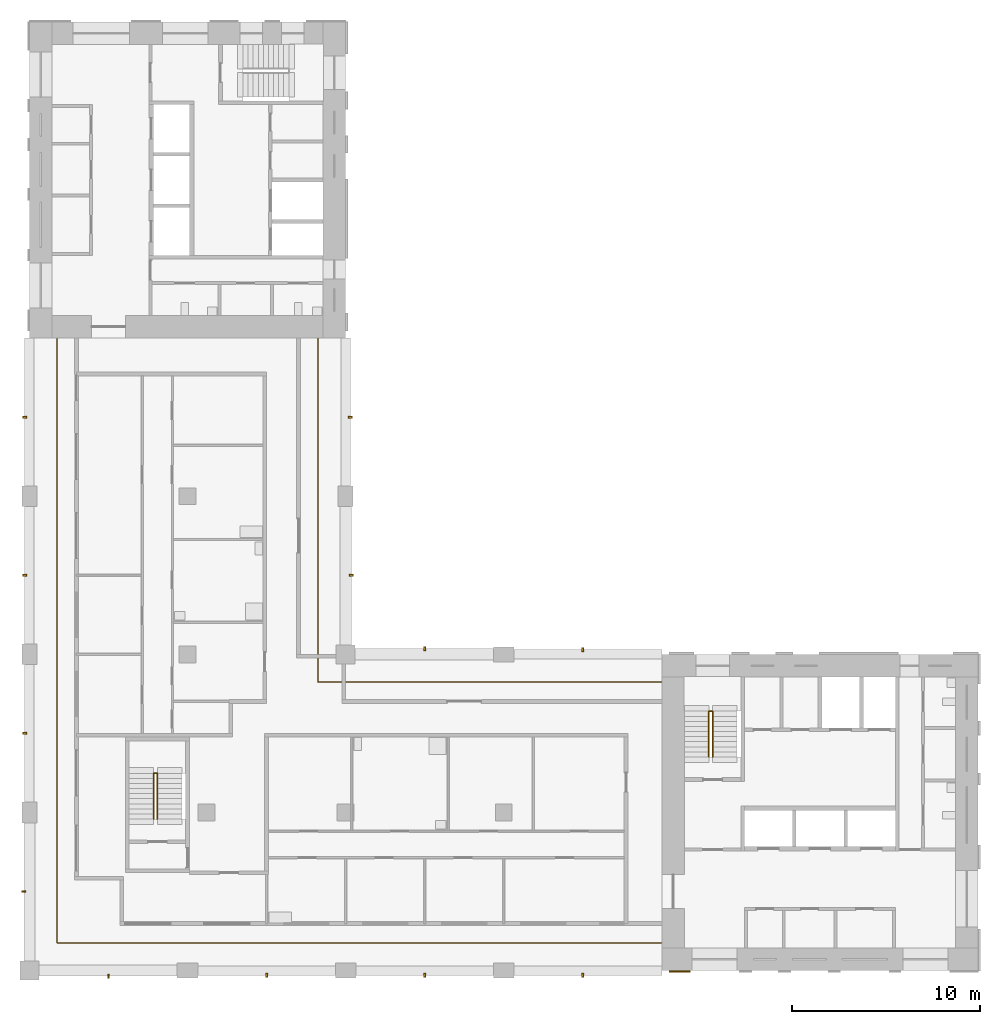
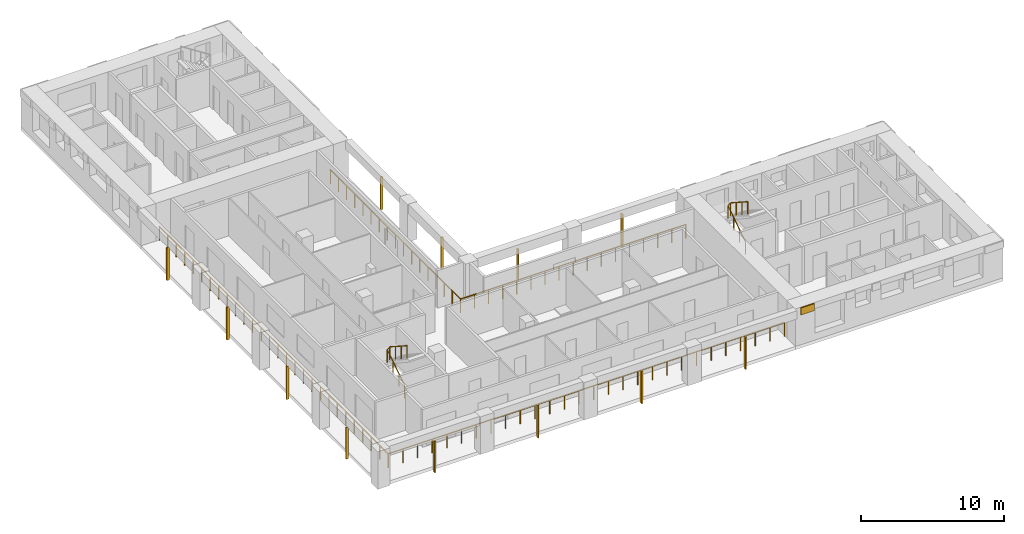
# One storey, part 7 of 9: 13 shading devices, 4 railings.
"""IFC4 building model written with IfcOpenShell, lengths in metres."""

from ifc_helpers import new_model, si_unit, direction, frame, origin, origin_2d, place, context, subcontext, project, spatial, rectangle, circle, extrude, material, layer, layer_set, material_profile, profile_set, type_object, element, save


model = new_model("IFC4")

# Units and contexts
model_context = context("Model", 3, precision=1e-05, world=origin(), true_north=direction((0.0, 1.0)))
body_context = subcontext(model_context, "Body", "Model", "MODEL_VIEW")
ifc_project = project(units=[si_unit("LENGTHUNIT", "METRE"), si_unit("AREAUNIT", "SQUARE_METRE"), si_unit("VOLUMEUNIT", "CUBIC_METRE"), si_unit("PLANEANGLEUNIT", "RADIAN"), si_unit("MASSUNIT", "GRAM", prefix="KILO")], contexts=[model_context])

# Site, building, storey
site_placement = place(None, origin())
site = spatial("IfcSite", under=ifc_project, at=site_placement, CompositionType="ELEMENT")
building_placement = place(site_placement, origin())
building = spatial("IfcBuilding", under=site, at=building_placement, Name="Vermilion Gate Residences", CompositionType="ELEMENT")
storey_placement = place(building_placement, frame((0.0, 0.0, 224.699951171875)))
storey = spatial("IfcBuildingStorey", under=building, at=storey_placement, Name="L58", CompositionType="ELEMENT", Elevation=224.699951171875)

# Railings
ifc_material_1 = material(Name="Stainless steel and toughened glass", Category="steel")
railing_type_1 = type_object("IfcRailingType", Name="LOGGIA GUARD STEEL AND GLASS 1200", PredefinedType="GUARDRAIL", material=ifc_material_1)
railing_1_placement = place(storey_placement, frame((41.97802734375, 23.72509765625, 0.0)))
element("IfcRailing", 1, at=railing_1_placement, inside=storey, type_object=railing_type_1, Name="Loggia guard", PredefinedType="GUARDRAIL", context=body_context, shape_type="SweptSolid", body=[
    extrude(circle(Radius=0.030029296875, at=origin_2d()), frame((0.0, 0.0, 1.169921875), z_axis=(-1.0, 0.0, 0.0), x_axis=(0.0, -1.0, 0.0)), (0.0, 0.0, 1.0), 18.2529296875),
    extrude(circle(Radius=0.030029296875, at=origin_2d()), frame((-18.2529296875, 0.0, 1.169921875), z_axis=(0.0, 1.0, 0.0), x_axis=(-1.0, 0.0, 0.0)), (0.0, 0.0, 1.0), 18.2529296875),
    extrude(circle(Radius=0.02490234375, at=origin_2d()), origin(), (0.0, 0.0, 1.0), 1.139892578125),
    extrude(circle(Radius=0.02490234375, at=origin_2d()), frame((-1.140869140625, 0.0, 0.0)), (0.0, 0.0, 1.0), 1.139892578125),
    extrude(circle(Radius=0.02490234375, at=origin_2d()), frame((-2.28173828125, 0.0, 0.0)), (0.0, 0.0, 1.0), 1.139892578125),
    extrude(circle(Radius=0.02490234375, at=origin_2d()), frame((-3.42236328125, 0.0, 0.0)), (0.0, 0.0, 1.0), 1.139892578125),
    extrude(circle(Radius=0.02490234375, at=origin_2d()), frame((-4.563232421875, 0.0, 0.0)), (0.0, 0.0, 1.0), 1.139892578125),
    extrude(circle(Radius=0.02490234375, at=origin_2d()), frame((-5.7041015625, 0.0, 0.0)), (0.0, 0.0, 1.0), 1.139892578125),
    extrude(circle(Radius=0.02490234375, at=origin_2d()), frame((-6.8447265625, 0.0, 0.0)), (0.0, 0.0, 1.0), 1.139892578125),
    extrude(circle(Radius=0.02490234375, at=origin_2d()), frame((-7.985595703125, 0.0, 0.0)), (0.0, 0.0, 1.0), 1.139892578125),
    extrude(circle(Radius=0.02490234375, at=origin_2d()), frame((-9.12646484375, 0.0, 0.0)), (0.0, 0.0, 1.0), 1.139892578125),
    extrude(circle(Radius=0.02490234375, at=origin_2d()), frame((-10.267333984375, 0.0, 0.0)), (0.0, 0.0, 1.0), 1.139892578125),
    extrude(circle(Radius=0.02490234375, at=origin_2d()), frame((-11.408203125, 0.0, 0.0)), (0.0, 0.0, 1.0), 1.139892578125),
    extrude(circle(Radius=0.02490234375, at=origin_2d()), frame((-12.548828125, 0.0, 0.0)), (0.0, 0.0, 1.0), 1.139892578125),
    extrude(circle(Radius=0.02490234375, at=origin_2d()), frame((-13.689697265625, 0.0, 0.0)), (0.0, 0.0, 1.0), 1.139892578125),
    extrude(circle(Radius=0.02490234375, at=origin_2d()), frame((-14.83056640625, 0.0, 0.0)), (0.0, 0.0, 1.0), 1.139892578125),
    extrude(circle(Radius=0.02490234375, at=origin_2d()), frame((-15.97119140625, 0.0, 0.0)), (0.0, 0.0, 1.0), 1.139892578125),
    extrude(circle(Radius=0.02490234375, at=origin_2d()), frame((-17.112060546875, 0.0, 0.0)), (0.0, 0.0, 1.0), 1.139892578125),
    extrude(circle(Radius=0.02490234375, at=origin_2d()), frame((-18.2529296875, 0.0, 0.0)), (0.0, 0.0, 1.0), 1.139892578125),
    extrude(circle(Radius=0.02490234375, at=origin_2d()), frame((-18.2529296875, 1.140869140625, 0.0)), (0.0, 0.0, 1.0), 1.139892578125),
    extrude(circle(Radius=0.02490234375, at=origin_2d()), frame((-18.2529296875, 2.28173828125, 0.0)), (0.0, 0.0, 1.0), 1.139892578125),
    extrude(circle(Radius=0.02490234375, at=origin_2d()), frame((-18.2529296875, 3.42236328125, 0.0)), (0.0, 0.0, 1.0), 1.139892578125),
    extrude(circle(Radius=0.02490234375, at=origin_2d()), frame((-18.2529296875, 4.563232421875, 0.0)), (0.0, 0.0, 1.0), 1.139892578125),
    extrude(circle(Radius=0.02490234375, at=origin_2d()), frame((-18.2529296875, 5.7041015625, 0.0)), (0.0, 0.0, 1.0), 1.139892578125),
    extrude(circle(Radius=0.02490234375, at=origin_2d()), frame((-18.2529296875, 6.8447265625, 0.0)), (0.0, 0.0, 1.0), 1.139892578125),
    extrude(circle(Radius=0.02490234375, at=origin_2d()), frame((-18.2529296875, 7.985595703125, 0.0)), (0.0, 0.0, 1.0), 1.139892578125),
    extrude(circle(Radius=0.02490234375, at=origin_2d()), frame((-18.2529296875, 9.12646484375, 0.0)), (0.0, 0.0, 1.0), 1.139892578125),
    extrude(circle(Radius=0.02490234375, at=origin_2d()), frame((-18.2529296875, 10.267333984375, 0.0)), (0.0, 0.0, 1.0), 1.139892578125),
    extrude(circle(Radius=0.02490234375, at=origin_2d()), frame((-18.2529296875, 11.408203125, 0.0)), (0.0, 0.0, 1.0), 1.139892578125),
    extrude(circle(Radius=0.02490234375, at=origin_2d()), frame((-18.2529296875, 12.548828125, 0.0)), (0.0, 0.0, 1.0), 1.139892578125),
    extrude(circle(Radius=0.02490234375, at=origin_2d()), frame((-18.2529296875, 13.689697265625, 0.0)), (0.0, 0.0, 1.0), 1.139892578125),
    extrude(circle(Radius=0.02490234375, at=origin_2d()), frame((-18.2529296875, 14.83056640625, 0.0)), (0.0, 0.0, 1.0), 1.139892578125),
    extrude(circle(Radius=0.02490234375, at=origin_2d()), frame((-18.2529296875, 15.97119140625, 0.0)), (0.0, 0.0, 1.0), 1.139892578125),
    extrude(circle(Radius=0.02490234375, at=origin_2d()), frame((-18.2529296875, 17.112060546875, 0.0)), (0.0, 0.0, 1.0), 1.139892578125),
    extrude(circle(Radius=0.02490234375, at=origin_2d()), frame((-18.2529296875, 18.2529296875, 0.0)), (0.0, 0.0, 1.0), 1.139892578125),
])
railing_2_placement = place(storey_placement, frame((9.875, 41.97802734375, 0.0)))
element("IfcRailing", 2, at=railing_2_placement, inside=storey, type_object=railing_type_1, Name="Loggia guard", PredefinedType="GUARDRAIL", context=body_context, shape_type="SweptSolid", body=[
    extrude(circle(Radius=0.030029296875, at=origin_2d()), frame((0.0, 0.0, 1.169921875), z_axis=(0.0, -1.0, 0.0), x_axis=(1.0, 0.0, 0.0)), (0.0, 0.0, 1.0), 32.10302734375),
    extrude(circle(Radius=0.030029296875, at=origin_2d()), frame((0.0, -32.10302734375, 1.169921875), z_axis=(1.0, 0.0, 0.0), x_axis=(0.0, 1.0, 0.0)), (0.0, 0.0, 1.0), 32.10302734375),
    extrude(circle(Radius=0.02490234375, at=origin_2d()), origin(), (0.0, 0.0, 1.0), 1.139892578125),
    extrude(circle(Radius=0.02490234375, at=origin_2d()), frame((0.0, -1.18896484375, 0.0)), (0.0, 0.0, 1.0), 1.139892578125),
    extrude(circle(Radius=0.02490234375, at=origin_2d()), frame((0.0, -2.3779296875, 0.0)), (0.0, 0.0, 1.0), 1.139892578125),
    extrude(circle(Radius=0.02490234375, at=origin_2d()), frame((0.0, -3.56689453125, 0.0)), (0.0, 0.0, 1.0), 1.139892578125),
    extrude(circle(Radius=0.02490234375, at=origin_2d()), frame((0.0, -4.756103515625, 0.0)), (0.0, 0.0, 1.0), 1.139892578125),
    extrude(circle(Radius=0.02490234375, at=origin_2d()), frame((0.0, -5.945068359375, 0.0)), (0.0, 0.0, 1.0), 1.139892578125),
    extrude(circle(Radius=0.02490234375, at=origin_2d()), frame((0.0, -7.134033203125, 0.0)), (0.0, 0.0, 1.0), 1.139892578125),
    extrude(circle(Radius=0.02490234375, at=origin_2d()), frame((0.0, -8.322998046875, 0.0)), (0.0, 0.0, 1.0), 1.139892578125),
    extrude(circle(Radius=0.02490234375, at=origin_2d()), frame((0.0, -9.511962890625, 0.0)), (0.0, 0.0, 1.0), 1.139892578125),
    extrude(circle(Radius=0.02490234375, at=origin_2d()), frame((0.0, -10.700927734375, 0.0)), (0.0, 0.0, 1.0), 1.139892578125),
    extrude(circle(Radius=0.02490234375, at=origin_2d()), frame((0.0, -11.889892578125, 0.0)), (0.0, 0.0, 1.0), 1.139892578125),
    extrude(circle(Radius=0.02490234375, at=origin_2d()), frame((0.0, -13.0791015625, 0.0)), (0.0, 0.0, 1.0), 1.139892578125),
    extrude(circle(Radius=0.02490234375, at=origin_2d()), frame((0.0, -14.26806640625, 0.0)), (0.0, 0.0, 1.0), 1.139892578125),
    extrude(circle(Radius=0.02490234375, at=origin_2d()), frame((0.0, -15.45703125, 0.0)), (0.0, 0.0, 1.0), 1.139892578125),
    extrude(circle(Radius=0.02490234375, at=origin_2d()), frame((0.0, -16.64599609375, 0.0)), (0.0, 0.0, 1.0), 1.139892578125),
    extrude(circle(Radius=0.02490234375, at=origin_2d()), frame((0.0, -17.8349609375, 0.0)), (0.0, 0.0, 1.0), 1.139892578125),
    extrude(circle(Radius=0.02490234375, at=origin_2d()), frame((0.0, -19.02392578125, 0.0)), (0.0, 0.0, 1.0), 1.139892578125),
    extrude(circle(Radius=0.02490234375, at=origin_2d()), frame((0.0, -20.213134765625, 0.0)), (0.0, 0.0, 1.0), 1.139892578125),
    extrude(circle(Radius=0.02490234375, at=origin_2d()), frame((0.0, -21.402099609375, 0.0)), (0.0, 0.0, 1.0), 1.139892578125),
    extrude(circle(Radius=0.02490234375, at=origin_2d()), frame((0.0, -22.591064453125, 0.0)), (0.0, 0.0, 1.0), 1.139892578125),
    extrude(circle(Radius=0.02490234375, at=origin_2d()), frame((0.0, -23.780029296875, 0.0)), (0.0, 0.0, 1.0), 1.139892578125),
    extrude(circle(Radius=0.02490234375, at=origin_2d()), frame((0.0, -24.968994140625, 0.0)), (0.0, 0.0, 1.0), 1.139892578125),
    extrude(circle(Radius=0.02490234375, at=origin_2d()), frame((0.0, -26.157958984375, 0.0)), (0.0, 0.0, 1.0), 1.139892578125),
    extrude(circle(Radius=0.02490234375, at=origin_2d()), frame((0.0, -27.346923828125, 0.0)), (0.0, 0.0, 1.0), 1.139892578125),
    extrude(circle(Radius=0.02490234375, at=origin_2d()), frame((0.0, -28.5361328125, 0.0)), (0.0, 0.0, 1.0), 1.139892578125),
    extrude(circle(Radius=0.02490234375, at=origin_2d()), frame((0.0, -29.72509765625, 0.0)), (0.0, 0.0, 1.0), 1.139892578125),
    extrude(circle(Radius=0.02490234375, at=origin_2d()), frame((0.0, -30.9140625, 0.0)), (0.0, 0.0, 1.0), 1.139892578125),
    extrude(circle(Radius=0.02490234375, at=origin_2d()), frame((0.0, -32.10302734375, 0.0)), (0.0, 0.0, 1.0), 1.139892578125),
    extrude(circle(Radius=0.02490234375, at=origin_2d()), frame((1.18896484375, -32.10302734375, 0.0)), (0.0, 0.0, 1.0), 1.139892578125),
    extrude(circle(Radius=0.02490234375, at=origin_2d()), frame((2.3779296875, -32.10302734375, 0.0)), (0.0, 0.0, 1.0), 1.139892578125),
    extrude(circle(Radius=0.02490234375, at=origin_2d()), frame((3.56689453125, -32.10302734375, 0.0)), (0.0, 0.0, 1.0), 1.139892578125),
    extrude(circle(Radius=0.02490234375, at=origin_2d()), frame((4.756103515625, -32.10302734375, 0.0)), (0.0, 0.0, 1.0), 1.139892578125),
    extrude(circle(Radius=0.02490234375, at=origin_2d()), frame((5.945068359375, -32.10302734375, 0.0)), (0.0, 0.0, 1.0), 1.139892578125),
    extrude(circle(Radius=0.02490234375, at=origin_2d()), frame((7.134033203125, -32.10302734375, 0.0)), (0.0, 0.0, 1.0), 1.139892578125),
    extrude(circle(Radius=0.02490234375, at=origin_2d()), frame((8.322998046875, -32.10302734375, 0.0)), (0.0, 0.0, 1.0), 1.139892578125),
    extrude(circle(Radius=0.02490234375, at=origin_2d()), frame((9.511962890625, -32.10302734375, 0.0)), (0.0, 0.0, 1.0), 1.139892578125),
    extrude(circle(Radius=0.02490234375, at=origin_2d()), frame((10.700927734375, -32.10302734375, 0.0)), (0.0, 0.0, 1.0), 1.139892578125),
    extrude(circle(Radius=0.02490234375, at=origin_2d()), frame((11.889892578125, -32.10302734375, 0.0)), (0.0, 0.0, 1.0), 1.139892578125),
    extrude(circle(Radius=0.02490234375, at=origin_2d()), frame((13.0791015625, -32.10302734375, 0.0)), (0.0, 0.0, 1.0), 1.139892578125),
    extrude(circle(Radius=0.02490234375, at=origin_2d()), frame((14.26806640625, -32.10302734375, 0.0)), (0.0, 0.0, 1.0), 1.139892578125),
    extrude(circle(Radius=0.02490234375, at=origin_2d()), frame((15.45703125, -32.10302734375, 0.0)), (0.0, 0.0, 1.0), 1.139892578125),
    extrude(circle(Radius=0.02490234375, at=origin_2d()), frame((16.64599609375, -32.10302734375, 0.0)), (0.0, 0.0, 1.0), 1.139892578125),
    extrude(circle(Radius=0.02490234375, at=origin_2d()), frame((17.8349609375, -32.10302734375, 0.0)), (0.0, 0.0, 1.0), 1.139892578125),
    extrude(circle(Radius=0.02490234375, at=origin_2d()), frame((19.02392578125, -32.10302734375, 0.0)), (0.0, 0.0, 1.0), 1.139892578125),
    extrude(circle(Radius=0.02490234375, at=origin_2d()), frame((20.213134765625, -32.10302734375, 0.0)), (0.0, 0.0, 1.0), 1.139892578125),
    extrude(circle(Radius=0.02490234375, at=origin_2d()), frame((21.402099609375, -32.10302734375, 0.0)), (0.0, 0.0, 1.0), 1.139892578125),
    extrude(circle(Radius=0.02490234375, at=origin_2d()), frame((22.591064453125, -32.10302734375, 0.0)), (0.0, 0.0, 1.0), 1.139892578125),
    extrude(circle(Radius=0.02490234375, at=origin_2d()), frame((23.780029296875, -32.10302734375, 0.0)), (0.0, 0.0, 1.0), 1.139892578125),
    extrude(circle(Radius=0.02490234375, at=origin_2d()), frame((24.968994140625, -32.10302734375, 0.0)), (0.0, 0.0, 1.0), 1.139892578125),
    extrude(circle(Radius=0.02490234375, at=origin_2d()), frame((26.157958984375, -32.10302734375, 0.0)), (0.0, 0.0, 1.0), 1.139892578125),
    extrude(circle(Radius=0.02490234375, at=origin_2d()), frame((27.346923828125, -32.10302734375, 0.0)), (0.0, 0.0, 1.0), 1.139892578125),
    extrude(circle(Radius=0.02490234375, at=origin_2d()), frame((28.5361328125, -32.10302734375, 0.0)), (0.0, 0.0, 1.0), 1.139892578125),
    extrude(circle(Radius=0.02490234375, at=origin_2d()), frame((29.72509765625, -32.10302734375, 0.0)), (0.0, 0.0, 1.0), 1.139892578125),
    extrude(circle(Radius=0.02490234375, at=origin_2d()), frame((30.9140625, -32.10302734375, 0.0)), (0.0, 0.0, 1.0), 1.139892578125),
    extrude(circle(Radius=0.02490234375, at=origin_2d()), frame((32.10302734375, -32.10302734375, 0.0)), (0.0, 0.0, 1.0), 1.139892578125),
])
ifc_material_2 = material(Name="Steel S355", Category="steel")
railing_type_2 = type_object("IfcRailingType", Name="STAIR GUARD 1100 STEEL", PredefinedType="GUARDRAIL", material=ifc_material_2)
for number, where, name in (
    (3, (44.5, 19.75, 0.175048828125), "Stair well guard STA1-58"),
    (4, (15.0, 16.449951171875, 0.175048828125), "Stair well guard STC1-58"),
):
    element("IfcRailing", number, at=place(storey_placement, frame(where)), inside=storey, type_object=railing_type_2, Name=name, PredefinedType="GUARDRAIL", context=body_context, shape_type="SweptSolid", body=[
        extrude(circle(Radius=0.02392578125, at=origin_2d()), frame((0.0, 0.0, 1.076171875), z_axis=(0.0, 0.839153699163, 0.543894354798), x_axis=(-1.0, 0.0, 0.0)), (0.0, 0.0, 1.0), 2.895751953125),
        extrude(circle(Radius=0.02392578125, at=origin_2d()), frame((0.0, 2.429931640625, 2.65087890625), z_axis=(0.752405939678, 0.0, 0.658699705433), x_axis=(0.0, 1.0, 0.0)), (0.0, 0.0, 1.0), 0.265869140625),
        extrude(circle(Radius=0.02392578125, at=origin_2d()), frame((0.199951171875, 2.429931640625, 2.826171875), z_axis=(0.0, -0.839153699163, 0.543894354798), x_axis=(1.0, 0.0, 0.0)), (0.0, 0.0, 1.0), 2.895751953125),
        extrude(circle(Radius=0.02099609375, at=origin_2d()), origin(), (0.0, 0.0, 1.0), 1.052001953125),
        extrude(circle(Radius=0.02099609375, at=origin_2d()), frame((0.0, 0.81005859375, 0.52490234375)), (0.0, 0.0, 1.0), 1.052001953125),
        extrude(circle(Radius=0.02099609375, at=origin_2d()), frame((0.0, 1.619873046875, 1.050048828125)), (0.0, 0.0, 1.0), 1.052001953125),
        extrude(circle(Radius=0.02099609375, at=origin_2d()), frame((0.0, 2.429931640625, 1.574951171875)), (0.0, 0.0, 1.0), 1.052001953125),
        extrude(circle(Radius=0.02099609375, at=origin_2d()), frame((0.199951171875, 2.429931640625, 1.75)), (0.0, 0.0, 1.0), 1.052001953125),
        extrude(circle(Radius=0.02099609375, at=origin_2d()), frame((0.199951171875, 1.619873046875, 2.27490234375)), (0.0, 0.0, 1.0), 1.052001953125),
        extrude(circle(Radius=0.02099609375, at=origin_2d()), frame((0.199951171875, 0.81005859375, 2.800048828125)), (0.0, 0.0, 1.0), 1.052001953125),
        extrude(circle(Radius=0.02099609375, at=origin_2d()), frame((0.199951171875, 0.0, 3.324951171875)), (0.0, 0.0, 1.0), 1.052001953125),
    ])

# Shading devices
ifc_material_3 = material(Name="Extruded terracotta", Category="masonry")
ifc_material_profile = material_profile(ifc_material_3, rectangle(XDim=0.199951171875, YDim=0.10009765625, at=origin_2d()), Name="BAGUETTE 100 X 200")
ifc_profile_set = profile_set([ifc_material_profile], Name="Extruded terracotta")
shading_device_type_1 = type_object("IfcShadingDeviceType", Name="TERRACOTTA BAGUETTE 100 X 200", PredefinedType="JALOUSIE", material=ifc_profile_set)
shading_device_1_placement = place(storey_placement, frame((12.60009765625, 8.10009765625, -0.280029296875), z_axis=(0.0, 0.0, 1.0), x_axis=(0.0, 1.0, 0.0)))
element("IfcShadingDevice", 5, at=shading_device_1_placement, inside=storey, type_object=shading_device_type_1, Name="BAGUETTE", PredefinedType="JALOUSIE", context=body_context, shape_type="SweptSolid", body=[
    extrude(rectangle(XDim=0.199951171875, YDim=0.10009765625, at=origin_2d()), origin(), (0.0, 0.0, 1.0), 2.7001953125),
])
for number, where, z_axis, x_axis, name in (
    (6, (21.0, 8.14990234375, -0.280029296875), (0.0, 0.0, 1.0), (0.0, 1.0, 0.0), "BAGUETTE"),
    (7, (29.39990234375, 8.14990234375, -0.280029296875), (0.0, 0.0, 1.0), (0.0, 1.0, 0.0), "BAGUETTE"),
    (8, (37.800048828125, 8.14990234375, -0.280029296875), (0.0, 0.0, 1.0), (0.0, 1.0, 0.0), "BAGUETTE"),
):
    element("IfcShadingDevice", number, at=place(storey_placement, frame(where, z_axis=z_axis, x_axis=x_axis)), inside=storey, type_object=shading_device_type_1, Name=name, PredefinedType="JALOUSIE", context=body_context, shape_type="SweptSolid", body=[
        extrude(rectangle(XDim=0.199951171875, YDim=0.10009765625, at=origin_2d()), origin(), (0.0, 0.0, 1.0), 2.800048828125),
    ])
shading_device_2_placement = place(storey_placement, frame((29.39990234375, 25.5, -0.280029296875), z_axis=(0.0, 0.0, 1.0), x_axis=(0.0, -1.0, 0.0)))
element("IfcShadingDevice", 9, at=shading_device_2_placement, inside=storey, type_object=shading_device_type_1, Name="BAGUETTE", PredefinedType="JALOUSIE", context=body_context, shape_type="SweptSolid", body=[
    extrude(rectangle(XDim=0.199951171875, YDim=0.10009765625, at=origin_2d()), origin(), (0.0, 0.0, 1.0), 2.7001953125),
])
shading_device_3_placement = place(storey_placement, frame((37.800048828125, 25.449951171875, -0.280029296875), z_axis=(0.0, 0.0, 1.0), x_axis=(0.0, -1.0, 0.0)))
element("IfcShadingDevice", 10, at=shading_device_3_placement, inside=storey, type_object=shading_device_type_1, Name="BAGUETTE", PredefinedType="JALOUSIE", context=body_context, shape_type="SweptSolid", body=[
    extrude(rectangle(XDim=0.199951171875, YDim=0.10009765625, at=origin_2d()), origin(), (0.0, 0.0, 1.0), 2.800048828125),
])
shading_device_4_placement = place(storey_placement, frame((25.5, 29.39990234375, -0.280029296875), z_axis=(0.0, 0.0, 1.0), x_axis=(-1.0, 0.0, 0.0)))
element("IfcShadingDevice", 11, at=shading_device_4_placement, inside=storey, type_object=shading_device_type_1, Name="BAGUETTE", PredefinedType="JALOUSIE", context=body_context, shape_type="SweptSolid", body=[
    extrude(rectangle(XDim=0.199951171875, YDim=0.10009765625, at=origin_2d()), origin(), (0.0, 0.0, 1.0), 2.7001953125),
])
shading_device_5_placement = place(storey_placement, frame((25.449951171875, 37.800048828125, -0.280029296875), z_axis=(0.0, 0.0, 1.0), x_axis=(-1.0, 0.0, 0.0)))
element("IfcShadingDevice", 12, at=shading_device_5_placement, inside=storey, type_object=shading_device_type_1, Name="BAGUETTE", PredefinedType="JALOUSIE", context=body_context, shape_type="SweptSolid", body=[
    extrude(rectangle(XDim=0.199951171875, YDim=0.10009765625, at=origin_2d()), origin(), (0.0, 0.0, 1.0), 2.800048828125),
])
shading_device_6_placement = place(storey_placement, frame((8.10009765625, 12.60009765625, -0.280029296875), z_axis=(0.0, 0.0, 1.0), x_axis=(1.0, 0.0, 0.0)))
element("IfcShadingDevice", 13, at=shading_device_6_placement, inside=storey, type_object=shading_device_type_1, Name="BAGUETTE", PredefinedType="JALOUSIE", context=body_context, shape_type="SweptSolid", body=[
    extrude(rectangle(XDim=0.199951171875, YDim=0.10009765625, at=origin_2d()), origin(), (0.0, 0.0, 1.0), 2.7001953125),
])
for number, where, z_axis, x_axis, name in (
    (14, (8.14990234375, 21.0, -0.280029296875), (0.0, 0.0, 1.0), (1.0, 0.0, 0.0), "BAGUETTE"),
    (15, (8.14990234375, 29.39990234375, -0.280029296875), (0.0, 0.0, 1.0), (1.0, 0.0, 0.0), "BAGUETTE"),
    (16, (8.14990234375, 37.800048828125, -0.280029296875), (0.0, 0.0, 1.0), (1.0, 0.0, 0.0), "BAGUETTE"),
):
    element("IfcShadingDevice", number, at=place(storey_placement, frame(where, z_axis=z_axis, x_axis=x_axis)), inside=storey, type_object=shading_device_type_1, Name=name, PredefinedType="JALOUSIE", context=body_context, shape_type="SweptSolid", body=[
        extrude(rectangle(XDim=0.199951171875, YDim=0.10009765625, at=origin_2d()), origin(), (0.0, 0.0, 1.0), 2.800048828125),
    ])
ifc_material_4 = material(Name="Extruded terracotta", Category="masonry")
ifc_layer = layer(ifc_material_4, 0.10009765625)
ifc_layer_set = layer_set([ifc_layer], Name="TERRACOTTA SPANDREL BAND 600 X 100")
shading_device_type_2 = type_object("IfcShadingDeviceType", Name="TERRACOTTA SPANDREL BAND 600 X 100", PredefinedType="USERDEFINED", material=ifc_layer_set)
shading_device_7_placement = place(storey_placement, frame((42.949951171875, 8.35009765625, 2.6201171875), z_axis=(0.0, 0.0, 1.0), x_axis=(1.0, 0.0, 0.0)))
element("IfcShadingDevice", 17, at=shading_device_7_placement, inside=storey, type_object=shading_device_type_2, Name="SPANDREL BAND", ObjectType="BAND", PredefinedType="USERDEFINED", context=body_context, shape_type="SweptSolid", body=[
    extrude(rectangle(XDim=1.10009765625, YDim=0.10009765625, at=origin_2d()), origin(), (0.0, 0.0, 1.0), 0.60009765625),
])

save(model, "model.ifc")
